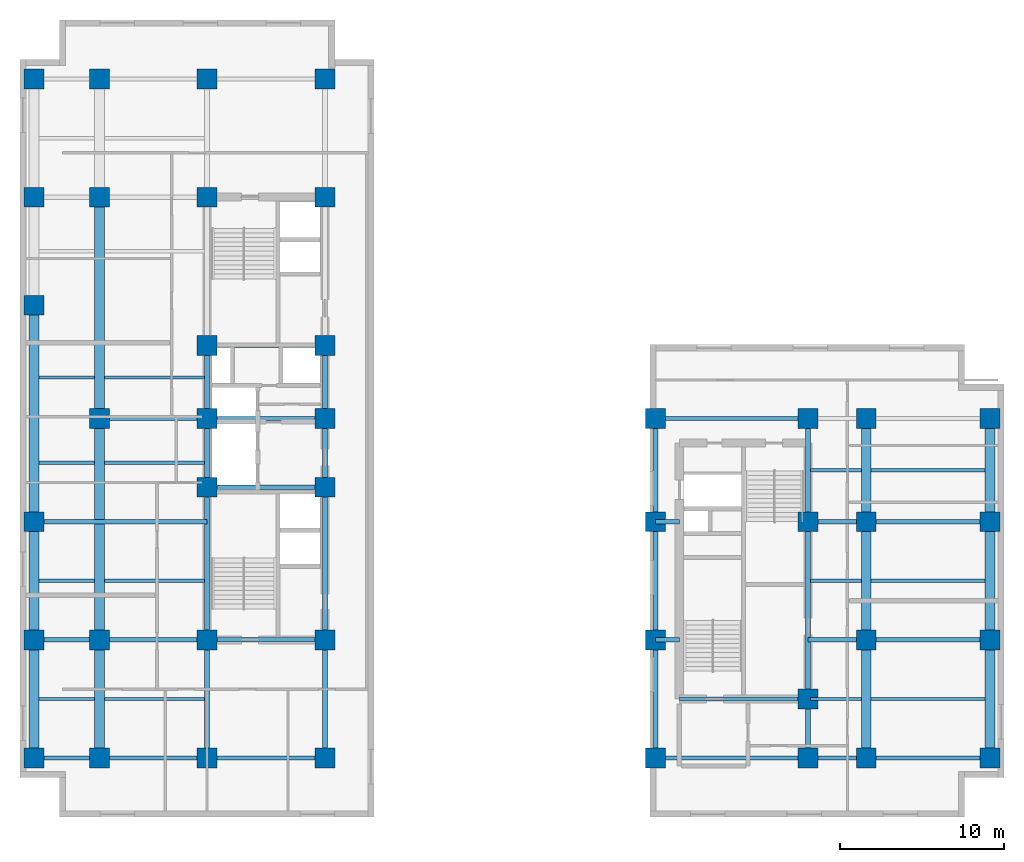
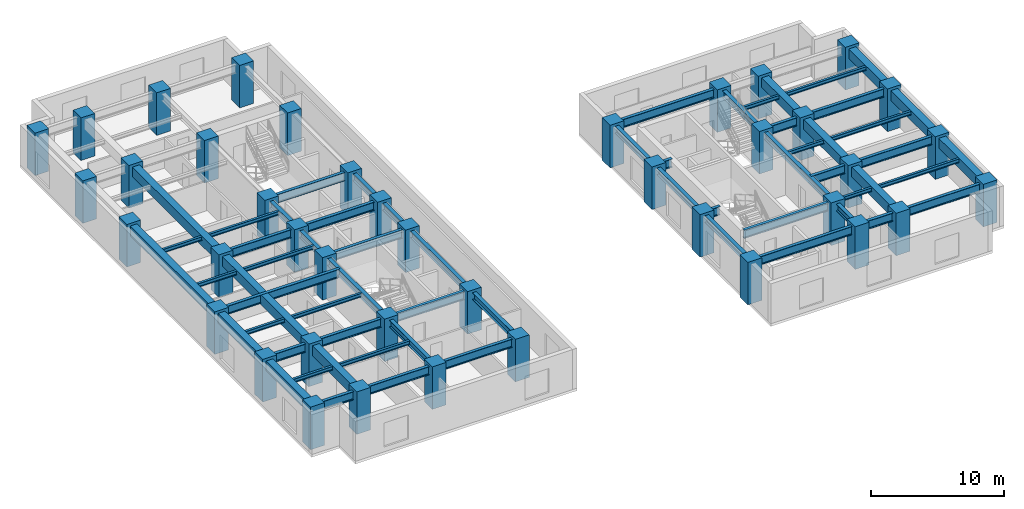
# One storey, part 1 of 8: 62 beams, 41 columns.
"""IFC4 building model written with IfcOpenShell, lengths in metres."""

import ifcopenshell
import ifcopenshell.guid

model = None  # the IFC model being written
_history = None  # IfcOwnerHistory: only IFC2X3 demands one
_inside = {}  # id of a spatial element -> (the spatial element, [elements in it])
_under = {}  # id of a project, library or spatial element -> (it, [spatial elements below it])
_declared = {}  # id of a project -> (the project, [libraries it declares])
_typed = {}  # id of a type object -> (the type object, [elements of that type])
_made_of = {}  # id of a material, layer set ... -> (it, [elements and type objects made of it])


def new_model(schema):
    """Start an empty IFC model of exactly this schema.

    Asked for "IFC4X3", IfcOpenShell would pick the latest addendum, in which some entities
    have other attributes; the version numbers below select the first issue.
    IFC2X3 requires an IfcOwnerHistory on every rooted entity: one is made here for all.
    """
    global model, _history
    if schema == "IFC4X3":
        model = ifcopenshell.file(schema_version=(4, 3, 0, 0))
    else:
        model = ifcopenshell.file(schema=schema)
    _inside.clear()
    _under.clear()
    _declared.clear()
    _typed.clear()
    _made_of.clear()
    _history = None
    if model.schema == "IFC2X3":
        org = make("IfcOrganization", Name="unknown")
        user = make(
            "IfcPersonAndOrganization",
            ThePerson=make("IfcPerson", FamilyName="unknown"),
            TheOrganization=org,
        )
        app = make(
            "IfcApplication",
            ApplicationDeveloper=org,
            Version="unknown",
            ApplicationFullName="unknown",
            ApplicationIdentifier="unknown",
        )
        _history = make(
            "IfcOwnerHistory",
            OwningUser=user,
            OwningApplication=app,
            ChangeAction="ADDED",
            CreationDate=0,
        )
    return model


def make(cls, **values):
    """One entity of the class cls with the attributes given. An attribute that is None is left unset."""
    return model.create_entity(
        cls, **{name: value for name, value in values.items() if value is not None}
    )


def entity(cls, *values):
    """Any entity or typed value of the class cls, its attributes in the order of the schema. None: left unset."""
    e = model.create_entity(cls)
    for i, value in enumerate(values):
        if value is not None:
            e[i] = value
    return e


def rooted(cls, **values):
    """An entity with a GlobalId (a new one), such as an element, a storey or a relation."""
    return make(cls, GlobalId=ifcopenshell.guid.new(), OwnerHistory=_history, **values)


def si_unit(unit_type, name, prefix=None):
    """IfcSIUnit, for example si_unit("LENGTHUNIT", "METRE", prefix="MILLI")."""
    return make("IfcSIUnit", UnitType=unit_type, Prefix=prefix, Name=name)


def converted_unit(unit_type, name, factor, base, dimensions=None, offset=None):
    """IfcConversionBasedUnit, such as the inch: factor (a typed value) times the base unit."""
    return make(
        "IfcConversionBasedUnit"
        if offset is None
        else "IfcConversionBasedUnitWithOffset",
        ConversionOffset=offset,
        Dimensions=None
        if dimensions is None
        else entity("IfcDimensionalExponents", *dimensions),
        UnitType=unit_type,
        Name=name,
        ConversionFactor=make(
            "IfcMeasureWithUnit", ValueComponent=factor, UnitComponent=base
        ),
    )


def assignment(units):
    """IfcUnitAssignment: the units of a project."""
    return None if units is None else make("IfcUnitAssignment", Units=units)


def point(xyz):
    """IfcCartesianPoint."""
    return None if xyz is None else make("IfcCartesianPoint", Coordinates=xyz)


def direction(xyz):
    """IfcDirection."""
    return None if xyz is None else make("IfcDirection", DirectionRatios=xyz)


def frame(location, z_axis=None, x_axis=None):
    """IfcAxis2Placement3D, a coordinate frame: its origin and axes. An axis left out is left unset."""
    return make(
        "IfcAxis2Placement3D",
        Location=point(location),
        Axis=direction(z_axis),
        RefDirection=direction(x_axis),
    )


def frame_2d(location, x_axis=None):
    """IfcAxis2Placement2D, a coordinate frame in the plane: its origin and x axis."""
    return make(
        "IfcAxis2Placement2D", Location=point(location), RefDirection=direction(x_axis)
    )


def origin_with_axes():
    """The frame at (0, 0, 0) with the z axis (0, 0, 1) and the x axis (1, 0, 0) written out."""
    return frame((0.0, 0.0, 0.0), z_axis=(0.0, 0.0, 1.0), x_axis=(1.0, 0.0, 0.0))


def origin_2d_with_axis():
    """The frame at (0, 0) in the plane with the x axis (1, 0) written out."""
    return frame_2d((0.0, 0.0), x_axis=(1.0, 0.0))


def place(relative_to, where):
    """IfcLocalPlacement: puts the frame where relative to a parent placement (None: the world)."""
    return make(
        "IfcLocalPlacement", PlacementRelTo=relative_to, RelativePlacement=where
    )


def context(
    kind, dimensions, precision=None, world=None, true_north=None, identifier=None
):
    """IfcGeometricRepresentationContext, for example the 3D "Model" context."""
    return make(
        "IfcGeometricRepresentationContext",
        ContextIdentifier=identifier,
        ContextType=kind,
        CoordinateSpaceDimension=dimensions,
        Precision=precision,
        WorldCoordinateSystem=world,
        TrueNorth=true_north,
    )


def subcontext(parent, identifier, kind, view, scale=None):
    """IfcGeometricRepresentationSubContext, for example "Body" below "Model"."""
    return make(
        "IfcGeometricRepresentationSubContext",
        ContextIdentifier=identifier,
        ContextType=kind,
        ParentContext=parent,
        TargetScale=scale,
        TargetView=view,
    )


def project(units=None, contexts=None):
    """IfcProject with its units and contexts."""
    return rooted(
        "IfcProject",
        Name="project",
        RepresentationContexts=contexts,
        UnitsInContext=assignment(units),
    )


def spatial(cls, under=None, at=None, **own):
    """A site, building, storey or space (cls), placed at a placement, below another one or the project."""
    s = rooted(cls, ObjectPlacement=at, **own)
    if under is not None:
        _under.setdefault(under.id(), (under, []))[1].append(s)
    return s


def profile(cls, at=None, kind="AREA", **sizes):
    """A parametric profile (cls). Its sizes go by their IFC names, for example OverallWidth=200.0."""
    return make(cls, ProfileType=kind, Position=at, **sizes)


def rectangle(**sizes):
    """IfcRectangleProfileDef."""
    return profile("IfcRectangleProfileDef", **sizes)


def i_section(**sizes):
    """IfcIShapeProfileDef."""
    return profile("IfcIShapeProfileDef", **sizes)


def extrude(swept, where, along, depth):
    """IfcExtrudedAreaSolid: the profile swept, set in the frame where, extruded along a direction by depth."""
    return make(
        "IfcExtrudedAreaSolid",
        SweptArea=swept,
        Position=where,
        ExtrudedDirection=direction(along),
        Depth=depth,
    )


def shape(context_of_items, identifier, shape_type, items):
    """IfcShapeRepresentation: the items that make up one representation, for example the "Body"."""
    return make(
        "IfcShapeRepresentation",
        ContextOfItems=context_of_items,
        RepresentationIdentifier=identifier,
        RepresentationType=shape_type,
        Items=items,
    )


def material(Name=None, Category=None):
    """IfcMaterial."""
    return make("IfcMaterial", Name=Name, Category=Category)


def material_profile(
    of_material, cross_section, Name=None, Category=None, Priority=None
):
    """IfcMaterialProfile: a cross section and its material."""
    return make(
        "IfcMaterialProfile",
        Name=Name,
        Material=of_material,
        Profile=cross_section,
        Priority=Priority,
        Category=Category,
    )


def profile_set(profiles, Name=None, composite=None):
    """IfcMaterialProfileSet."""
    return make(
        "IfcMaterialProfileSet",
        Name=Name,
        MaterialProfiles=profiles,
        CompositeProfile=composite,
    )


def made_of(thing, what):
    """Note that an element or type object is made of a material, layer set ...; save() writes the relation."""
    if what is not None:
        _made_of.setdefault(what.id(), (what, []))[1].append(thing)
    return thing


def type_object(cls, material=None, **own):
    """A type object (cls), such as IfcWallType, which elements share."""
    return made_of(rooted(cls, **own), material)


def element(
    cls,
    number,
    at=None,
    inside=None,
    cuts=None,
    type_object=None,
    material=None,
    context=None,
    identifier="Body",
    shape_type=None,
    held_by="IfcProductDefinitionShape",
    body=None,
    shapes=None,
    **own,
):
    """One element of the class cls, such as IfcWall. Its Tag is "e" and its number.

    at: its placement. inside: the storey or other place that contains it. cuts: it is an
    opening in that element (IfcRelVoidsElement). A single representation is given by context,
    identifier, shape_type and body (its items); several are given by shapes. held_by: the class
    of the entity that holds the representations. save() writes the other relations.
    """
    e = rooted(cls, Tag="e%d" % number, ObjectPlacement=at, **own)
    if body is not None:
        shapes = [shape(context, identifier, shape_type, body)]
    if shapes is not None:
        e.Representation = make(held_by, Representations=shapes)
    if inside is not None:
        _inside.setdefault(inside.id(), (inside, []))[1].append(e)
    if cuts is not None:
        rooted(
            "IfcRelVoidsElement", RelatingBuildingElement=cuts, RelatedOpeningElement=e
        )
    if type_object is not None:
        _typed.setdefault(type_object.id(), (type_object, []))[1].append(e)
    return made_of(e, material)


def aggregate(whole, parts):
    """IfcRelAggregates: a whole, such as a stair, and the parts it consists of."""
    return rooted("IfcRelAggregates", RelatingObject=whole, RelatedObjects=parts)


def save(model, path):
    """Write the relations noted so far, then the file.

    IfcRelAggregates (storeys below a building ...), IfcRelContainedInSpatialStructure (elements
    in a storey), IfcRelDefinesByType, IfcRelAssociatesMaterial and IfcRelDeclares: one each for
    every whole, place, type object, material and project.
    """
    for whole, parts in _under.values():
        aggregate(whole, parts)
    for where, things in _inside.values():
        rooted(
            "IfcRelContainedInSpatialStructure",
            RelatedElements=things,
            RelatingStructure=where,
        )
    for kind, things in _typed.values():
        rooted("IfcRelDefinesByType", RelatedObjects=things, RelatingType=kind)
    for what, things in _made_of.values():
        rooted("IfcRelAssociatesMaterial", RelatedObjects=things, RelatingMaterial=what)
    for by, libraries in _declared.values():
        rooted("IfcRelDeclares", RelatingContext=by, RelatedDefinitions=libraries)
    model.write(path)


model = new_model("IFC4")

# Units and contexts
model_context = context("Model", 3, precision=1e-05, world=origin_with_axes(), true_north=direction((0.0, 1.0)))
body_context = subcontext(model_context, "Body", "Model", "MODEL_VIEW")
ifc_project = project(units=[si_unit("LENGTHUNIT", "METRE"), si_unit("AREAUNIT", "SQUARE_METRE"), si_unit("VOLUMEUNIT", "CUBIC_METRE"), converted_unit("PLANEANGLEUNIT", "DEGREE", entity("IfcPlaneAngleMeasure", 0.017453292519943295), si_unit("PLANEANGLEUNIT", "RADIAN"), dimensions=[0, 0, 0, 0, 0, 0, 0]), si_unit("MASSUNIT", "GRAM", prefix="KILO"), si_unit("THERMODYNAMICTEMPERATUREUNIT", "KELVIN")], contexts=[model_context])

# Site, building, storey
site_placement = place(None, origin_with_axes())
site = spatial("IfcSite", under=ifc_project, at=site_placement, CompositionType="ELEMENT")
building_placement = place(site_placement, origin_with_axes())
building = spatial("IfcBuilding", under=site, at=building_placement, Name="Varnlund Millrace Tower", CompositionType="ELEMENT")
storey_placement = place(building_placement, frame((0.0, 0.0, 116.4), z_axis=(0.0, 0.0, 1.0), x_axis=(1.0, 0.0, 0.0)))
storey = spatial("IfcBuildingStorey", under=building, at=storey_placement, Name="L28", CompositionType="ELEMENT", Elevation=116.4)

# Columns
ifc_material_1 = material(Name="Concrete C80/95", Category="concrete")
ifc_material_profile_1 = material_profile(ifc_material_1, rectangle(XDim=1.2, YDim=1.2, at=origin_2d_with_axis()), Name="Concrete C80/95")
ifc_profile_set_1 = profile_set([ifc_material_profile_1], Name="Concrete C80/95")
column_type = type_object("IfcColumnType", Name="Type-Col-RC1200-C80", PredefinedType="COLUMN", material=ifc_profile_set_1)
for number, where, z_axis, x_axis, name in (
    (1, (11.4, 3.6, 0.0), (0.0, 0.0, 1.0), (1.0, 0.0, 0.0), "Type-Col-RC1200-C80"),
    (2, (11.4, 10.8, 0.0), (0.0, 0.0, 1.0), (1.0, 0.0, 0.0), "Type-Col-RC1200-C80"),
    (3, (11.4, 20.1, 0.0), (0.0, 0.0, 1.0), (1.0, 0.0, 0.0), "Type-Col-RC1200-C80"),
    (4, (11.4, 24.3, 0.0), (0.0, 0.0, 1.0), (1.0, 0.0, 0.0), "Type-Col-RC1200-C80"),
    (5, (11.4, 28.75, 0.0), (0.0, 0.0, 1.0), (1.0, 0.0, 0.0), "Type-Col-RC1200-C80"),
    (6, (11.4, 37.8, 0.0), (0.0, 0.0, 1.0), (1.0, 0.0, 0.0), "Type-Col-RC1200-C80"),
    (7, (11.4, 45.0, 0.0), (0.0, 0.0, 1.0), (1.0, 0.0, 0.0), "Type-Col-RC1200-C80"),
    (8, (18.6, 3.6, 0.0), (0.0, 0.0, 1.0), (1.0, 0.0, 0.0), "Type-Col-RC1200-C80"),
    (9, (18.6, 10.8, 0.0), (0.0, 0.0, 1.0), (1.0, 0.0, 0.0), "Type-Col-RC1200-C80"),
    (10, (18.6, 20.1, 0.0), (0.0, 0.0, 1.0), (1.0, 0.0, 0.0), "Type-Col-RC1200-C80"),
    (11, (18.6, 24.3, 0.0), (0.0, 0.0, 1.0), (1.0, 0.0, 0.0), "Type-Col-RC1200-C80"),
    (12, (18.6, 28.75, 0.0), (0.0, 0.0, 1.0), (1.0, 0.0, 0.0), "Type-Col-RC1200-C80"),
    (13, (18.6, 37.8, 0.0), (0.0, 0.0, 1.0), (1.0, 0.0, 0.0), "Type-Col-RC1200-C80"),
    (14, (18.6, 45.0, 0.0), (0.0, 0.0, 1.0), (1.0, 0.0, 0.0), "Type-Col-RC1200-C80"),
    (15, (4.85, 3.6, 0.0), (0.0, 0.0, 1.0), (1.0, 0.0, 0.0), "Type-Col-RC1200-C80"),
    (16, (4.85, 10.8, 0.0), (0.0, 0.0, 1.0), (1.0, 0.0, 0.0), "Type-Col-RC1200-C80"),
    (17, (4.85, 24.3, 0.0), (0.0, 0.0, 1.0), (1.0, 0.0, 0.0), "Type-Col-RC1200-C80"),
    (18, (4.85, 37.8, 0.0), (0.0, 0.0, 1.0), (1.0, 0.0, 0.0), "Type-Col-RC1200-C80"),
    (19, (4.85, 45.0, 0.0), (0.0, 0.0, 1.0), (1.0, 0.0, 0.0), "Type-Col-RC1200-C80"),
    (20, (0.85, 3.6, 0.0), (0.0, 0.0, 1.0), (1.0, 0.0, 0.0), "Type-Col-RC1200-C80"),
    (21, (0.85, 10.8, 0.0), (0.0, 0.0, 1.0), (1.0, 0.0, 0.0), "Type-Col-RC1200-C80"),
    (22, (0.85, 18.0, 0.0), (0.0, 0.0, 1.0), (1.0, 0.0, 0.0), "Type-Col-RC1200-C80"),
    (23, (0.85, 31.2, 0.0), (0.0, 0.0, 1.0), (1.0, 0.0, 0.0), "Type-Col-RC1200-C80"),
    (24, (0.85, 37.8, 0.0), (0.0, 0.0, 1.0), (1.0, 0.0, 0.0), "Type-Col-RC1200-C80"),
    (25, (0.85, 45.0, 0.0), (0.0, 0.0, 1.0), (1.0, 0.0, 0.0), "Type-Col-RC1200-C80"),
    (26, (38.75, 3.6, 0.0), (0.0, 0.0, 1.0), (1.0, 0.0, 0.0), "Type-Col-RC1200-C80"),
    (27, (38.75, 10.8, 0.0), (0.0, 0.0, 1.0), (1.0, 0.0, 0.0), "Type-Col-RC1200-C80"),
    (28, (38.75, 18.0, 0.0), (0.0, 0.0, 1.0), (1.0, 0.0, 0.0), "Type-Col-RC1200-C80"),
    (29, (38.75, 24.3, 0.0), (0.0, 0.0, 1.0), (1.0, 0.0, 0.0), "Type-Col-RC1200-C80"),
    (30, (48.05, 3.6, 0.0), (0.0, 0.0, 1.0), (1.0, 0.0, 0.0), "Type-Col-RC1200-C80"),
    (31, (48.05, 7.2, 0.0), (0.0, 0.0, 1.0), (1.0, 0.0, 0.0), "Type-Col-RC1200-C80"),
    (32, (48.05, 18.0, 0.0), (0.0, 0.0, 1.0), (1.0, 0.0, 0.0), "Type-Col-RC1200-C80"),
    (33, (48.05, 24.3, 0.0), (0.0, 0.0, 1.0), (1.0, 0.0, 0.0), "Type-Col-RC1200-C80"),
    (34, (51.6, 3.6, 0.0), (0.0, 0.0, 1.0), (1.0, 0.0, 0.0), "Type-Col-RC1200-C80"),
    (35, (51.6, 10.8, 0.0), (0.0, 0.0, 1.0), (1.0, 0.0, 0.0), "Type-Col-RC1200-C80"),
    (36, (51.6, 18.0, 0.0), (0.0, 0.0, 1.0), (1.0, 0.0, 0.0), "Type-Col-RC1200-C80"),
    (37, (51.6, 24.3, 0.0), (0.0, 0.0, 1.0), (1.0, 0.0, 0.0), "Type-Col-RC1200-C80"),
    (38, (59.15, 3.6, 0.0), (0.0, 0.0, 1.0), (1.0, 0.0, 0.0), "Type-Col-RC1200-C80"),
    (39, (59.15, 10.8, 0.0), (0.0, 0.0, 1.0), (1.0, 0.0, 0.0), "Type-Col-RC1200-C80"),
    (40, (59.15, 18.0, 0.0), (0.0, 0.0, 1.0), (1.0, 0.0, 0.0), "Type-Col-RC1200-C80"),
    (41, (59.15, 24.3, 0.0), (0.0, 0.0, 1.0), (1.0, 0.0, 0.0), "Type-Col-RC1200-C80"),
):
    element("IfcColumn", number, at=place(storey_placement, frame(where, z_axis=z_axis, x_axis=x_axis)), inside=storey, type_object=column_type, Name=name, PredefinedType="COLUMN", context=body_context, shape_type="SweptSolid", body=[
        extrude(rectangle(XDim=1.2, YDim=1.2, at=origin_2d_with_axis()), origin_with_axes(), (0.0, 0.0, 1.0), 3.9),
    ])

# Beams
ifc_material_2 = material(Name="Steel ASTM A992 Grade 50", Category="steel")
ifc_material_profile_2 = material_profile(ifc_material_2, i_section(OverallWidth=0.328, OverallDepth=0.628, WebThickness=0.0165, FlangeThickness=0.0277, FilletRadius=0.018, at=origin_2d_with_axis()), Name="Steel ASTM A992 Grade 50")
ifc_profile_set_2 = profile_set([ifc_material_profile_2], Name="Steel ASTM A992 Grade 50")
beam_type_1 = type_object("IfcBeamType", Name="Type-Girder-W24X146", PredefinedType="USERDEFINED", material=ifc_profile_set_2)
beam_1_placement = place(storey_placement, frame((11.4, 3.6, 3.346), z_axis=(0.0, 1.0, 0.0), x_axis=(-1.0, 0.0, 0.0)))
element("IfcBeam", 42, at=beam_1_placement, inside=storey, type_object=beam_type_1, Name="Type-Girder-W24X146", ObjectType="GIRDER", PredefinedType="USERDEFINED", context=body_context, shape_type="SweptSolid", body=[
    extrude(i_section(OverallWidth=0.328, OverallDepth=0.628, WebThickness=0.0165, FlangeThickness=0.0277, FilletRadius=0.018, at=origin_2d_with_axis()), origin_with_axes(), (0.0, 0.0, 1.0), 7.2),
])
beam_2_placement = place(storey_placement, frame((11.4, 10.8, 3.346), z_axis=(0.0, 1.0, 0.0), x_axis=(-1.0, 0.0, 0.0)))
element("IfcBeam", 43, at=beam_2_placement, inside=storey, type_object=beam_type_1, Name="Type-Girder-W24X146", ObjectType="GIRDER", PredefinedType="USERDEFINED", context=body_context, shape_type="SweptSolid", body=[
    extrude(i_section(OverallWidth=0.328, OverallDepth=0.628, WebThickness=0.0165, FlangeThickness=0.0277, FilletRadius=0.018, at=origin_2d_with_axis()), origin_with_axes(), (0.0, 0.0, 1.0), 9.3),
])
beam_3_placement = place(storey_placement, frame((11.4, 20.1, 3.346), z_axis=(0.0, 1.0, 0.0), x_axis=(-1.0, 0.0, 0.0)))
element("IfcBeam", 44, at=beam_3_placement, inside=storey, type_object=beam_type_1, Name="Type-Girder-W24X146", ObjectType="GIRDER", PredefinedType="USERDEFINED", context=body_context, shape_type="SweptSolid", body=[
    extrude(i_section(OverallWidth=0.328, OverallDepth=0.628, WebThickness=0.0165, FlangeThickness=0.0277, FilletRadius=0.018, at=origin_2d_with_axis()), origin_with_axes(), (0.0, 0.0, 1.0), 4.2),
])
beam_4_placement = place(storey_placement, frame((11.4, 24.3, 3.346), z_axis=(0.0, 1.0, 0.0), x_axis=(-1.0, 0.0, 0.0)))
element("IfcBeam", 45, at=beam_4_placement, inside=storey, type_object=beam_type_1, Name="Type-Girder-W24X146", ObjectType="GIRDER", PredefinedType="USERDEFINED", context=body_context, shape_type="SweptSolid", body=[
    extrude(i_section(OverallWidth=0.328, OverallDepth=0.628, WebThickness=0.0165, FlangeThickness=0.0277, FilletRadius=0.018, at=origin_2d_with_axis()), origin_with_axes(), (0.0, 0.0, 1.0), 4.45),
])
beam_5_placement = place(storey_placement, frame((18.6, 3.6, 3.346), z_axis=(0.0, 1.0, 0.0), x_axis=(-1.0, 0.0, 0.0)))
element("IfcBeam", 46, at=beam_5_placement, inside=storey, type_object=beam_type_1, Name="Type-Girder-W24X146", ObjectType="GIRDER", PredefinedType="USERDEFINED", context=body_context, shape_type="SweptSolid", body=[
    extrude(i_section(OverallWidth=0.328, OverallDepth=0.628, WebThickness=0.0165, FlangeThickness=0.0277, FilletRadius=0.018, at=origin_2d_with_axis()), origin_with_axes(), (0.0, 0.0, 1.0), 7.2),
])
beam_6_placement = place(storey_placement, frame((18.6, 10.8, 3.346), z_axis=(0.0, 1.0, 0.0), x_axis=(-1.0, 0.0, 0.0)))
element("IfcBeam", 47, at=beam_6_placement, inside=storey, type_object=beam_type_1, Name="Type-Girder-W24X146", ObjectType="GIRDER", PredefinedType="USERDEFINED", context=body_context, shape_type="SweptSolid", body=[
    extrude(i_section(OverallWidth=0.328, OverallDepth=0.628, WebThickness=0.0165, FlangeThickness=0.0277, FilletRadius=0.018, at=origin_2d_with_axis()), origin_with_axes(), (0.0, 0.0, 1.0), 9.3),
])
beam_7_placement = place(storey_placement, frame((18.6, 20.1, 3.346), z_axis=(0.0, 1.0, 0.0), x_axis=(-1.0, 0.0, 0.0)))
element("IfcBeam", 48, at=beam_7_placement, inside=storey, type_object=beam_type_1, Name="Type-Girder-W24X146", ObjectType="GIRDER", PredefinedType="USERDEFINED", context=body_context, shape_type="SweptSolid", body=[
    extrude(i_section(OverallWidth=0.328, OverallDepth=0.628, WebThickness=0.0165, FlangeThickness=0.0277, FilletRadius=0.018, at=origin_2d_with_axis()), origin_with_axes(), (0.0, 0.0, 1.0), 4.2),
])
beam_8_placement = place(storey_placement, frame((18.6, 24.3, 3.346), z_axis=(0.0, 1.0, 0.0), x_axis=(-1.0, 0.0, 0.0)))
element("IfcBeam", 49, at=beam_8_placement, inside=storey, type_object=beam_type_1, Name="Type-Girder-W24X146", ObjectType="GIRDER", PredefinedType="USERDEFINED", context=body_context, shape_type="SweptSolid", body=[
    extrude(i_section(OverallWidth=0.328, OverallDepth=0.628, WebThickness=0.0165, FlangeThickness=0.0277, FilletRadius=0.018, at=origin_2d_with_axis()), origin_with_axes(), (0.0, 0.0, 1.0), 4.45),
])
for number, where, z_axis, x_axis, name in (
    (50, (38.75, 3.6, 3.346), (0.0, 1.0, 0.0), (-1.0, 0.0, 0.0), "Type-Girder-W24X146"),
    (51, (38.75, 10.8, 3.346), (0.0, 1.0, 0.0), (-1.0, 0.0, 0.0), "Type-Girder-W24X146"),
):
    element("IfcBeam", number, at=place(storey_placement, frame(where, z_axis=z_axis, x_axis=x_axis)), inside=storey, type_object=beam_type_1, Name=name, ObjectType="GIRDER", PredefinedType="USERDEFINED", context=body_context, shape_type="SweptSolid", body=[
        extrude(i_section(OverallWidth=0.328, OverallDepth=0.628, WebThickness=0.0165, FlangeThickness=0.0277, FilletRadius=0.018, at=origin_2d_with_axis()), origin_with_axes(), (0.0, 0.0, 1.0), 7.2),
    ])
beam_9_placement = place(storey_placement, frame((38.75, 18.0, 3.346), z_axis=(0.0, 1.0, 0.0), x_axis=(-1.0, 0.0, 0.0)))
element("IfcBeam", 52, at=beam_9_placement, inside=storey, type_object=beam_type_1, Name="Type-Girder-W24X146", ObjectType="GIRDER", PredefinedType="USERDEFINED", context=body_context, shape_type="SweptSolid", body=[
    extrude(i_section(OverallWidth=0.328, OverallDepth=0.628, WebThickness=0.0165, FlangeThickness=0.0277, FilletRadius=0.018, at=origin_2d_with_axis()), origin_with_axes(), (0.0, 0.0, 1.0), 6.3),
])
beam_10_placement = place(storey_placement, frame((48.05, 3.6, 3.346), z_axis=(0.0, 1.0, 0.0), x_axis=(-1.0, 0.0, 0.0)))
element("IfcBeam", 53, at=beam_10_placement, inside=storey, type_object=beam_type_1, Name="Type-Girder-W24X146", ObjectType="GIRDER", PredefinedType="USERDEFINED", context=body_context, shape_type="SweptSolid", body=[
    extrude(i_section(OverallWidth=0.328, OverallDepth=0.628, WebThickness=0.0165, FlangeThickness=0.0277, FilletRadius=0.018, at=origin_2d_with_axis()), origin_with_axes(), (0.0, 0.0, 1.0), 3.6),
])
beam_11_placement = place(storey_placement, frame((48.05, 7.2, 3.346), z_axis=(0.0, 1.0, 0.0), x_axis=(-1.0, 0.0, 0.0)))
element("IfcBeam", 54, at=beam_11_placement, inside=storey, type_object=beam_type_1, Name="Type-Girder-W24X146", ObjectType="GIRDER", PredefinedType="USERDEFINED", context=body_context, shape_type="SweptSolid", body=[
    extrude(i_section(OverallWidth=0.328, OverallDepth=0.628, WebThickness=0.0165, FlangeThickness=0.0277, FilletRadius=0.018, at=origin_2d_with_axis()), origin_with_axes(), (0.0, 0.0, 1.0), 10.8),
])
beam_12_placement = place(storey_placement, frame((48.05, 18.0, 3.346), z_axis=(0.0, 1.0, 0.0), x_axis=(-1.0, 0.0, 0.0)))
element("IfcBeam", 55, at=beam_12_placement, inside=storey, type_object=beam_type_1, Name="Type-Girder-W24X146", ObjectType="GIRDER", PredefinedType="USERDEFINED", context=body_context, shape_type="SweptSolid", body=[
    extrude(i_section(OverallWidth=0.328, OverallDepth=0.628, WebThickness=0.0165, FlangeThickness=0.0277, FilletRadius=0.018, at=origin_2d_with_axis()), origin_with_axes(), (0.0, 0.0, 1.0), 6.3),
])
ifc_material_profile_3 = material_profile(ifc_material_2, i_section(OverallWidth=0.266, OverallDepth=0.779, WebThickness=0.0165, FlangeThickness=0.03, FilletRadius=0.02, at=origin_2d_with_axis()), Name="Steel ASTM A992 Grade 50")
ifc_profile_set_3 = profile_set([ifc_material_profile_3], Name="Steel ASTM A992 Grade 50")
beam_type_2 = type_object("IfcBeamType", Name="Type-Girder-W30X148", PredefinedType="USERDEFINED", material=ifc_profile_set_3)
beam_13_placement = place(storey_placement, frame((0.85, 3.6, 3.2705), z_axis=(1.0, 0.0, 0.0), x_axis=(0.0, 1.0, 0.0)))
element("IfcBeam", 56, at=beam_13_placement, inside=storey, type_object=beam_type_2, Name="Type-Girder-W30X148", ObjectType="GIRDER", PredefinedType="USERDEFINED", context=body_context, shape_type="SweptSolid", body=[
    extrude(i_section(OverallWidth=0.266, OverallDepth=0.779, WebThickness=0.0165, FlangeThickness=0.03, FilletRadius=0.02, at=origin_2d_with_axis()), origin_with_axes(), (0.0, 0.0, 1.0), 4.0),
])
beam_14_placement = place(storey_placement, frame((4.85, 3.6, 3.2705), z_axis=(1.0, 0.0, 0.0), x_axis=(0.0, 1.0, 0.0)))
element("IfcBeam", 57, at=beam_14_placement, inside=storey, type_object=beam_type_2, Name="Type-Girder-W30X148", ObjectType="GIRDER", PredefinedType="USERDEFINED", context=body_context, shape_type="SweptSolid", body=[
    extrude(i_section(OverallWidth=0.266, OverallDepth=0.779, WebThickness=0.0165, FlangeThickness=0.03, FilletRadius=0.02, at=origin_2d_with_axis()), origin_with_axes(), (0.0, 0.0, 1.0), 6.55),
])
beam_15_placement = place(storey_placement, frame((11.4, 3.6, 3.2705), z_axis=(1.0, 0.0, 0.0), x_axis=(0.0, 1.0, 0.0)))
element("IfcBeam", 58, at=beam_15_placement, inside=storey, type_object=beam_type_2, Name="Type-Girder-W30X148", ObjectType="GIRDER", PredefinedType="USERDEFINED", context=body_context, shape_type="SweptSolid", body=[
    extrude(i_section(OverallWidth=0.266, OverallDepth=0.779, WebThickness=0.0165, FlangeThickness=0.03, FilletRadius=0.02, at=origin_2d_with_axis()), origin_with_axes(), (0.0, 0.0, 1.0), 7.2),
])
beam_16_placement = place(storey_placement, frame((38.75, 3.6, 3.2705), z_axis=(1.0, 0.0, 0.0), x_axis=(0.0, 1.0, 0.0)))
element("IfcBeam", 59, at=beam_16_placement, inside=storey, type_object=beam_type_2, Name="Type-Girder-W30X148", ObjectType="GIRDER", PredefinedType="USERDEFINED", context=body_context, shape_type="SweptSolid", body=[
    extrude(i_section(OverallWidth=0.266, OverallDepth=0.779, WebThickness=0.0165, FlangeThickness=0.03, FilletRadius=0.02, at=origin_2d_with_axis()), origin_with_axes(), (0.0, 0.0, 1.0), 9.3),
])
beam_17_placement = place(storey_placement, frame((48.05, 3.6, 3.2705), z_axis=(1.0, 0.0, 0.0), x_axis=(0.0, 1.0, 0.0)))
element("IfcBeam", 60, at=beam_17_placement, inside=storey, type_object=beam_type_2, Name="Type-Girder-W30X148", ObjectType="GIRDER", PredefinedType="USERDEFINED", context=body_context, shape_type="SweptSolid", body=[
    extrude(i_section(OverallWidth=0.266, OverallDepth=0.779, WebThickness=0.0165, FlangeThickness=0.03, FilletRadius=0.02, at=origin_2d_with_axis()), origin_with_axes(), (0.0, 0.0, 1.0), 3.55),
])
beam_18_placement = place(storey_placement, frame((51.6, 3.6, 3.2705), z_axis=(1.0, 0.0, 0.0), x_axis=(0.0, 1.0, 0.0)))
element("IfcBeam", 61, at=beam_18_placement, inside=storey, type_object=beam_type_2, Name="Type-Girder-W30X148", ObjectType="GIRDER", PredefinedType="USERDEFINED", context=body_context, shape_type="SweptSolid", body=[
    extrude(i_section(OverallWidth=0.266, OverallDepth=0.779, WebThickness=0.0165, FlangeThickness=0.03, FilletRadius=0.02, at=origin_2d_with_axis()), origin_with_axes(), (0.0, 0.0, 1.0), 7.55),
])
beam_19_placement = place(storey_placement, frame((40.2, 7.2, 3.2705), z_axis=(1.0, 0.0, 0.0), x_axis=(0.0, 1.0, 0.0)))
element("IfcBeam", 62, at=beam_19_placement, inside=storey, type_object=beam_type_2, Name="Type-Girder-W30X148", ObjectType="GIRDER", PredefinedType="USERDEFINED", context=body_context, shape_type="SweptSolid", body=[
    extrude(i_section(OverallWidth=0.266, OverallDepth=0.779, WebThickness=0.0165, FlangeThickness=0.03, FilletRadius=0.02, at=origin_2d_with_axis()), origin_with_axes(), (0.0, 0.0, 1.0), 7.85),
])
beam_20_placement = place(storey_placement, frame((0.85, 10.8, 3.2705), z_axis=(1.0, 0.0, 0.0), x_axis=(0.0, 1.0, 0.0)))
element("IfcBeam", 63, at=beam_20_placement, inside=storey, type_object=beam_type_2, Name="Type-Girder-W30X148", ObjectType="GIRDER", PredefinedType="USERDEFINED", context=body_context, shape_type="SweptSolid", body=[
    extrude(i_section(OverallWidth=0.266, OverallDepth=0.779, WebThickness=0.0165, FlangeThickness=0.03, FilletRadius=0.02, at=origin_2d_with_axis()), origin_with_axes(), (0.0, 0.0, 1.0), 4.0),
])
beam_21_placement = place(storey_placement, frame((4.85, 10.8, 3.2705), z_axis=(1.0, 0.0, 0.0), x_axis=(0.0, 1.0, 0.0)))
element("IfcBeam", 64, at=beam_21_placement, inside=storey, type_object=beam_type_2, Name="Type-Girder-W30X148", ObjectType="GIRDER", PredefinedType="USERDEFINED", context=body_context, shape_type="SweptSolid", body=[
    extrude(i_section(OverallWidth=0.266, OverallDepth=0.779, WebThickness=0.0165, FlangeThickness=0.03, FilletRadius=0.02, at=origin_2d_with_axis()), origin_with_axes(), (0.0, 0.0, 1.0), 6.55),
])
beam_22_placement = place(storey_placement, frame((11.4, 10.8, 3.2705), z_axis=(1.0, 0.0, 0.0), x_axis=(0.0, 1.0, 0.0)))
element("IfcBeam", 65, at=beam_22_placement, inside=storey, type_object=beam_type_2, Name="Type-Girder-W30X148", ObjectType="GIRDER", PredefinedType="USERDEFINED", context=body_context, shape_type="SweptSolid", body=[
    extrude(i_section(OverallWidth=0.266, OverallDepth=0.779, WebThickness=0.0165, FlangeThickness=0.03, FilletRadius=0.02, at=origin_2d_with_axis()), origin_with_axes(), (0.0, 0.0, 1.0), 7.2),
])
beam_23_placement = place(storey_placement, frame((38.75, 10.8, 3.2705), z_axis=(1.0, 0.0, 0.0), x_axis=(0.0, 1.0, 0.0)))
element("IfcBeam", 66, at=beam_23_placement, inside=storey, type_object=beam_type_2, Name="Type-Girder-W30X148", ObjectType="GIRDER", PredefinedType="USERDEFINED", context=body_context, shape_type="SweptSolid", body=[
    extrude(i_section(OverallWidth=0.266, OverallDepth=0.779, WebThickness=0.0165, FlangeThickness=0.03, FilletRadius=0.02, at=origin_2d_with_axis()), origin_with_axes(), (0.0, 0.0, 1.0), 1.45),
])
beam_24_placement = place(storey_placement, frame((48.05, 10.8, 3.2705), z_axis=(1.0, 0.0, 0.0), x_axis=(0.0, 1.0, 0.0)))
element("IfcBeam", 67, at=beam_24_placement, inside=storey, type_object=beam_type_2, Name="Type-Girder-W30X148", ObjectType="GIRDER", PredefinedType="USERDEFINED", context=body_context, shape_type="SweptSolid", body=[
    extrude(i_section(OverallWidth=0.266, OverallDepth=0.779, WebThickness=0.0165, FlangeThickness=0.03, FilletRadius=0.02, at=origin_2d_with_axis()), origin_with_axes(), (0.0, 0.0, 1.0), 3.55),
])
beam_25_placement = place(storey_placement, frame((51.6, 10.8, 3.2705), z_axis=(1.0, 0.0, 0.0), x_axis=(0.0, 1.0, 0.0)))
element("IfcBeam", 68, at=beam_25_placement, inside=storey, type_object=beam_type_2, Name="Type-Girder-W30X148", ObjectType="GIRDER", PredefinedType="USERDEFINED", context=body_context, shape_type="SweptSolid", body=[
    extrude(i_section(OverallWidth=0.266, OverallDepth=0.779, WebThickness=0.0165, FlangeThickness=0.03, FilletRadius=0.02, at=origin_2d_with_axis()), origin_with_axes(), (0.0, 0.0, 1.0), 7.55),
])
beam_26_placement = place(storey_placement, frame((0.85, 18.0, 3.2705), z_axis=(1.0, 0.0, 0.0), x_axis=(0.0, 1.0, 0.0)))
element("IfcBeam", 69, at=beam_26_placement, inside=storey, type_object=beam_type_2, Name="Type-Girder-W30X148", ObjectType="GIRDER", PredefinedType="USERDEFINED", context=body_context, shape_type="SweptSolid", body=[
    extrude(i_section(OverallWidth=0.266, OverallDepth=0.779, WebThickness=0.0165, FlangeThickness=0.03, FilletRadius=0.02, at=origin_2d_with_axis()), origin_with_axes(), (0.0, 0.0, 1.0), 10.55),
])
beam_27_placement = place(storey_placement, frame((38.75, 18.0, 3.2705), z_axis=(1.0, 0.0, 0.0), x_axis=(0.0, 1.0, 0.0)))
element("IfcBeam", 70, at=beam_27_placement, inside=storey, type_object=beam_type_2, Name="Type-Girder-W30X148", ObjectType="GIRDER", PredefinedType="USERDEFINED", context=body_context, shape_type="SweptSolid", body=[
    extrude(i_section(OverallWidth=0.266, OverallDepth=0.779, WebThickness=0.0165, FlangeThickness=0.03, FilletRadius=0.02, at=origin_2d_with_axis()), origin_with_axes(), (0.0, 0.0, 1.0), 1.45),
])
beam_28_placement = place(storey_placement, frame((48.05, 18.0, 3.2705), z_axis=(1.0, 0.0, 0.0), x_axis=(0.0, 1.0, 0.0)))
element("IfcBeam", 71, at=beam_28_placement, inside=storey, type_object=beam_type_2, Name="Type-Girder-W30X148", ObjectType="GIRDER", PredefinedType="USERDEFINED", context=body_context, shape_type="SweptSolid", body=[
    extrude(i_section(OverallWidth=0.266, OverallDepth=0.779, WebThickness=0.0165, FlangeThickness=0.03, FilletRadius=0.02, at=origin_2d_with_axis()), origin_with_axes(), (0.0, 0.0, 1.0), 3.55),
])
beam_29_placement = place(storey_placement, frame((51.6, 18.0, 3.2705), z_axis=(1.0, 0.0, 0.0), x_axis=(0.0, 1.0, 0.0)))
element("IfcBeam", 72, at=beam_29_placement, inside=storey, type_object=beam_type_2, Name="Type-Girder-W30X148", ObjectType="GIRDER", PredefinedType="USERDEFINED", context=body_context, shape_type="SweptSolid", body=[
    extrude(i_section(OverallWidth=0.266, OverallDepth=0.779, WebThickness=0.0165, FlangeThickness=0.03, FilletRadius=0.02, at=origin_2d_with_axis()), origin_with_axes(), (0.0, 0.0, 1.0), 7.55),
])
beam_30_placement = place(storey_placement, frame((11.4, 20.1, 3.2705), z_axis=(1.0, 0.0, 0.0), x_axis=(0.0, 1.0, 0.0)))
element("IfcBeam", 73, at=beam_30_placement, inside=storey, type_object=beam_type_2, Name="Type-Girder-W30X148", ObjectType="GIRDER", PredefinedType="USERDEFINED", context=body_context, shape_type="SweptSolid", body=[
    extrude(i_section(OverallWidth=0.266, OverallDepth=0.779, WebThickness=0.0165, FlangeThickness=0.03, FilletRadius=0.02, at=origin_2d_with_axis()), origin_with_axes(), (0.0, 0.0, 1.0), 7.2),
])
beam_31_placement = place(storey_placement, frame((4.85, 24.3, 3.2705), z_axis=(1.0, 0.0, 0.0), x_axis=(0.0, 1.0, 0.0)))
element("IfcBeam", 74, at=beam_31_placement, inside=storey, type_object=beam_type_2, Name="Type-Girder-W30X148", ObjectType="GIRDER", PredefinedType="USERDEFINED", context=body_context, shape_type="SweptSolid", body=[
    extrude(i_section(OverallWidth=0.266, OverallDepth=0.779, WebThickness=0.0165, FlangeThickness=0.03, FilletRadius=0.02, at=origin_2d_with_axis()), origin_with_axes(), (0.0, 0.0, 1.0), 6.55),
])
beam_32_placement = place(storey_placement, frame((11.4, 24.3, 3.2705), z_axis=(1.0, 0.0, 0.0), x_axis=(0.0, 1.0, 0.0)))
element("IfcBeam", 75, at=beam_32_placement, inside=storey, type_object=beam_type_2, Name="Type-Girder-W30X148", ObjectType="GIRDER", PredefinedType="USERDEFINED", context=body_context, shape_type="SweptSolid", body=[
    extrude(i_section(OverallWidth=0.266, OverallDepth=0.779, WebThickness=0.0165, FlangeThickness=0.03, FilletRadius=0.02, at=origin_2d_with_axis()), origin_with_axes(), (0.0, 0.0, 1.0), 7.2),
])
beam_33_placement = place(storey_placement, frame((38.75, 24.3, 3.2705), z_axis=(1.0, 0.0, 0.0), x_axis=(0.0, 1.0, 0.0)))
element("IfcBeam", 76, at=beam_33_placement, inside=storey, type_object=beam_type_2, Name="Type-Girder-W30X148", ObjectType="GIRDER", PredefinedType="USERDEFINED", context=body_context, shape_type="SweptSolid", body=[
    extrude(i_section(OverallWidth=0.266, OverallDepth=0.779, WebThickness=0.0165, FlangeThickness=0.03, FilletRadius=0.02, at=origin_2d_with_axis()), origin_with_axes(), (0.0, 0.0, 1.0), 9.3),
])
beam_34_placement = place(storey_placement, frame((11.4, 28.75, 3.2705), z_axis=(1.0, 0.0, 0.0), x_axis=(0.0, 1.0, 0.0)))
element("IfcBeam", 77, at=beam_34_placement, inside=storey, type_object=beam_type_2, Name="Type-Girder-W30X148", ObjectType="GIRDER", PredefinedType="USERDEFINED", context=body_context, shape_type="SweptSolid", body=[
    extrude(i_section(OverallWidth=0.266, OverallDepth=0.779, WebThickness=0.0165, FlangeThickness=0.03, FilletRadius=0.02, at=origin_2d_with_axis()), origin_with_axes(), (0.0, 0.0, 1.0), 7.2),
])
ifc_material_profile_4 = material_profile(ifc_material_2, i_section(OverallWidth=0.204, OverallDepth=0.35, WebThickness=0.0086, FlangeThickness=0.0151, FilletRadius=0.013, at=origin_2d_with_axis()), Name="Steel ASTM A992 Grade 50")
ifc_profile_set_4 = profile_set([ifc_material_profile_4], Name="Steel ASTM A992 Grade 50")
beam_type_3 = type_object("IfcBeamType", Name="Type-Joist-W14X48", PredefinedType="JOIST", material=ifc_profile_set_4)
for number, where, z_axis, x_axis, name in (
    (78, (1.15, 7.2, 3.485), (1.0, 0.0, 0.0), (0.0, 1.0, 0.0), "Type-Joist-W14X48"),
    (79, (1.15, 14.4, 3.485), (1.0, 0.0, 0.0), (0.0, 1.0, 0.0), "Type-Joist-W14X48"),
    (80, (1.15, 21.6, 3.485), (1.0, 0.0, 0.0), (0.0, 1.0, 0.0), "Type-Joist-W14X48"),
    (81, (1.15, 26.8, 3.485), (1.0, 0.0, 0.0), (0.0, 1.0, 0.0), "Type-Joist-W14X48"),
):
    element("IfcBeam", number, at=place(storey_placement, frame(where, z_axis=z_axis, x_axis=x_axis)), inside=storey, type_object=beam_type_3, Name=name, PredefinedType="JOIST", context=body_context, shape_type="SweptSolid", body=[
        extrude(i_section(OverallWidth=0.204, OverallDepth=0.35, WebThickness=0.0086, FlangeThickness=0.0151, FilletRadius=0.013, at=origin_2d_with_axis()), origin_with_axes(), (0.0, 0.0, 1.0), 3.4),
    ])
for number, where, z_axis, x_axis, name in (
    (82, (5.15, 7.2, 3.485), (1.0, 0.0, 0.0), (0.0, 1.0, 0.0), "Type-Joist-W14X48"),
    (83, (5.15, 14.4, 3.485), (1.0, 0.0, 0.0), (0.0, 1.0, 0.0), "Type-Joist-W14X48"),
    (84, (5.15, 21.6, 3.485), (1.0, 0.0, 0.0), (0.0, 1.0, 0.0), "Type-Joist-W14X48"),
    (85, (5.15, 26.8, 3.485), (1.0, 0.0, 0.0), (0.0, 1.0, 0.0), "Type-Joist-W14X48"),
):
    element("IfcBeam", number, at=place(storey_placement, frame(where, z_axis=z_axis, x_axis=x_axis)), inside=storey, type_object=beam_type_3, Name=name, PredefinedType="JOIST", context=body_context, shape_type="SweptSolid", body=[
        extrude(i_section(OverallWidth=0.204, OverallDepth=0.35, WebThickness=0.0086, FlangeThickness=0.0151, FilletRadius=0.013, at=origin_2d_with_axis()), origin_with_axes(), (0.0, 0.0, 1.0), 6.086),
    ])
for number, where, z_axis, x_axis, name in (
    (86, (48.214, 7.2, 3.485), (1.0, 0.0, 0.0), (0.0, 1.0, 0.0), "Type-Joist-W14X48"),
    (87, (48.214, 14.4, 3.485), (1.0, 0.0, 0.0), (0.0, 1.0, 0.0), "Type-Joist-W14X48"),
    (88, (48.214, 21.15, 3.485), (1.0, 0.0, 0.0), (0.0, 1.0, 0.0), "Type-Joist-W14X48"),
):
    element("IfcBeam", number, at=place(storey_placement, frame(where, z_axis=z_axis, x_axis=x_axis)), inside=storey, type_object=beam_type_3, Name=name, PredefinedType="JOIST", context=body_context, shape_type="SweptSolid", body=[
        extrude(i_section(OverallWidth=0.204, OverallDepth=0.35, WebThickness=0.0086, FlangeThickness=0.0151, FilletRadius=0.013, at=origin_2d_with_axis()), origin_with_axes(), (0.0, 0.0, 1.0), 3.086),
    ])
for number, where, z_axis, x_axis, name in (
    (89, (51.9, 7.2, 3.485), (1.0, 0.0, 0.0), (0.0, 1.0, 0.0), "Type-Joist-W14X48"),
    (90, (51.9, 14.4, 3.485), (1.0, 0.0, 0.0), (0.0, 1.0, 0.0), "Type-Joist-W14X48"),
    (91, (51.9, 21.15, 3.485), (1.0, 0.0, 0.0), (0.0, 1.0, 0.0), "Type-Joist-W14X48"),
):
    element("IfcBeam", number, at=place(storey_placement, frame(where, z_axis=z_axis, x_axis=x_axis)), inside=storey, type_object=beam_type_3, Name=name, PredefinedType="JOIST", context=body_context, shape_type="SweptSolid", body=[
        extrude(i_section(OverallWidth=0.204, OverallDepth=0.35, WebThickness=0.0086, FlangeThickness=0.0151, FilletRadius=0.013, at=origin_2d_with_axis()), origin_with_axes(), (0.0, 0.0, 1.0), 6.95),
    ])
ifc_material_3 = material(Name="Concrete C70/85", Category="concrete")
ifc_material_profile_5 = material_profile(ifc_material_3, rectangle(XDim=0.6, YDim=0.9, at=origin_2d_with_axis()), Name="Concrete C70/85")
ifc_profile_set_5 = profile_set([ifc_material_profile_5], Name="Concrete C70/85")
beam_type_4 = type_object("IfcBeamType", Name="Type-Spandrel-RC600X900", PredefinedType="SPANDREL", material=ifc_profile_set_5)
for number, where, z_axis, x_axis, name in (
    (92, (0.85, 3.6, 3.21), (0.0, 1.0, 0.0), (-1.0, 0.0, 0.0), "Type-Spandrel-RC600X900"),
    (93, (0.85, 10.8, 3.21), (0.0, 1.0, 0.0), (-1.0, 0.0, 0.0), "Type-Spandrel-RC600X900"),
):
    element("IfcBeam", number, at=place(storey_placement, frame(where, z_axis=z_axis, x_axis=x_axis)), inside=storey, type_object=beam_type_4, Name=name, PredefinedType="SPANDREL", context=body_context, shape_type="SweptSolid", body=[
        extrude(rectangle(XDim=0.6, YDim=0.9, at=origin_2d_with_axis()), origin_with_axes(), (0.0, 0.0, 1.0), 7.2),
    ])
beam_35_placement = place(storey_placement, frame((0.85, 18.0, 3.21), z_axis=(0.0, 1.0, 0.0), x_axis=(-1.0, 0.0, 0.0)))
element("IfcBeam", 94, at=beam_35_placement, inside=storey, type_object=beam_type_4, Name="Type-Spandrel-RC600X900", PredefinedType="SPANDREL", context=body_context, shape_type="SweptSolid", body=[
    extrude(rectangle(XDim=0.6, YDim=0.9, at=origin_2d_with_axis()), origin_with_axes(), (0.0, 0.0, 1.0), 13.2),
])
beam_36_placement = place(storey_placement, frame((4.85, 3.6, 3.21), z_axis=(0.0, 1.0, 0.0), x_axis=(-1.0, 0.0, 0.0)))
element("IfcBeam", 95, at=beam_36_placement, inside=storey, type_object=beam_type_4, Name="Type-Spandrel-RC600X900", PredefinedType="SPANDREL", context=body_context, shape_type="SweptSolid", body=[
    extrude(rectangle(XDim=0.6, YDim=0.9, at=origin_2d_with_axis()), origin_with_axes(), (0.0, 0.0, 1.0), 7.2),
])
for number, where, z_axis, x_axis, name in (
    (96, (4.85, 10.8, 3.21), (0.0, 1.0, 0.0), (-1.0, 0.0, 0.0), "Type-Spandrel-RC600X900"),
    (97, (4.85, 24.3, 3.21), (0.0, 1.0, 0.0), (-1.0, 0.0, 0.0), "Type-Spandrel-RC600X900"),
):
    element("IfcBeam", number, at=place(storey_placement, frame(where, z_axis=z_axis, x_axis=x_axis)), inside=storey, type_object=beam_type_4, Name=name, PredefinedType="SPANDREL", context=body_context, shape_type="SweptSolid", body=[
        extrude(rectangle(XDim=0.6, YDim=0.9, at=origin_2d_with_axis()), origin_with_axes(), (0.0, 0.0, 1.0), 13.5),
    ])
for number, where, z_axis, x_axis, name in (
    (98, (51.6, 3.6, 3.21), (0.0, 1.0, 0.0), (-1.0, 0.0, 0.0), "Type-Spandrel-RC600X900"),
    (99, (51.6, 10.8, 3.21), (0.0, 1.0, 0.0), (-1.0, 0.0, 0.0), "Type-Spandrel-RC600X900"),
):
    element("IfcBeam", number, at=place(storey_placement, frame(where, z_axis=z_axis, x_axis=x_axis)), inside=storey, type_object=beam_type_4, Name=name, PredefinedType="SPANDREL", context=body_context, shape_type="SweptSolid", body=[
        extrude(rectangle(XDim=0.6, YDim=0.9, at=origin_2d_with_axis()), origin_with_axes(), (0.0, 0.0, 1.0), 7.2),
    ])
beam_37_placement = place(storey_placement, frame((51.6, 18.0, 3.21), z_axis=(0.0, 1.0, 0.0), x_axis=(-1.0, 0.0, 0.0)))
element("IfcBeam", 100, at=beam_37_placement, inside=storey, type_object=beam_type_4, Name="Type-Spandrel-RC600X900", PredefinedType="SPANDREL", context=body_context, shape_type="SweptSolid", body=[
    extrude(rectangle(XDim=0.6, YDim=0.9, at=origin_2d_with_axis()), origin_with_axes(), (0.0, 0.0, 1.0), 6.3),
])
for number, where, z_axis, x_axis, name in (
    (101, (59.15, 3.6, 3.21), (0.0, 1.0, 0.0), (-1.0, 0.0, 0.0), "Type-Spandrel-RC600X900"),
    (102, (59.15, 10.8, 3.21), (0.0, 1.0, 0.0), (-1.0, 0.0, 0.0), "Type-Spandrel-RC600X900"),
):
    element("IfcBeam", number, at=place(storey_placement, frame(where, z_axis=z_axis, x_axis=x_axis)), inside=storey, type_object=beam_type_4, Name=name, PredefinedType="SPANDREL", context=body_context, shape_type="SweptSolid", body=[
        extrude(rectangle(XDim=0.6, YDim=0.9, at=origin_2d_with_axis()), origin_with_axes(), (0.0, 0.0, 1.0), 7.2),
    ])
beam_38_placement = place(storey_placement, frame((59.15, 18.0, 3.21), z_axis=(0.0, 1.0, 0.0), x_axis=(-1.0, 0.0, 0.0)))
element("IfcBeam", 103, at=beam_38_placement, inside=storey, type_object=beam_type_4, Name="Type-Spandrel-RC600X900", PredefinedType="SPANDREL", context=body_context, shape_type="SweptSolid", body=[
    extrude(rectangle(XDim=0.6, YDim=0.9, at=origin_2d_with_axis()), origin_with_axes(), (0.0, 0.0, 1.0), 6.3),
])

save(model, "model.ifc")
